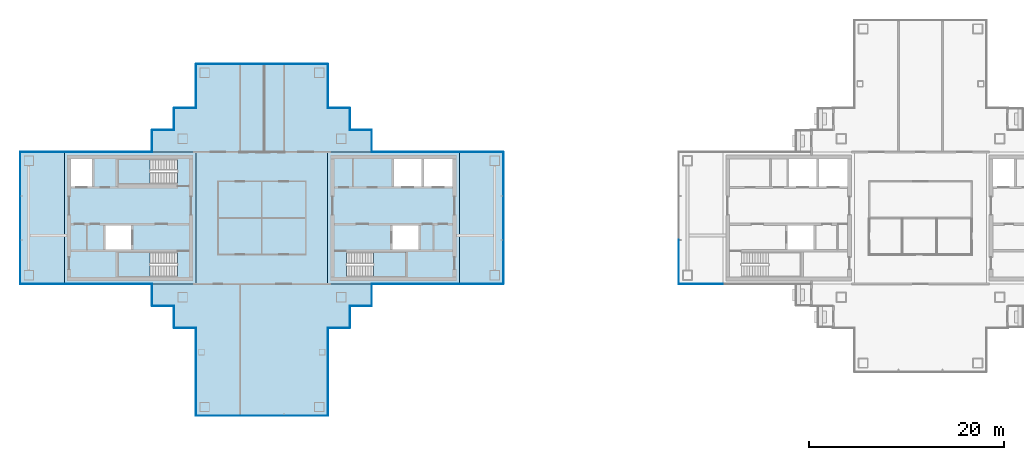
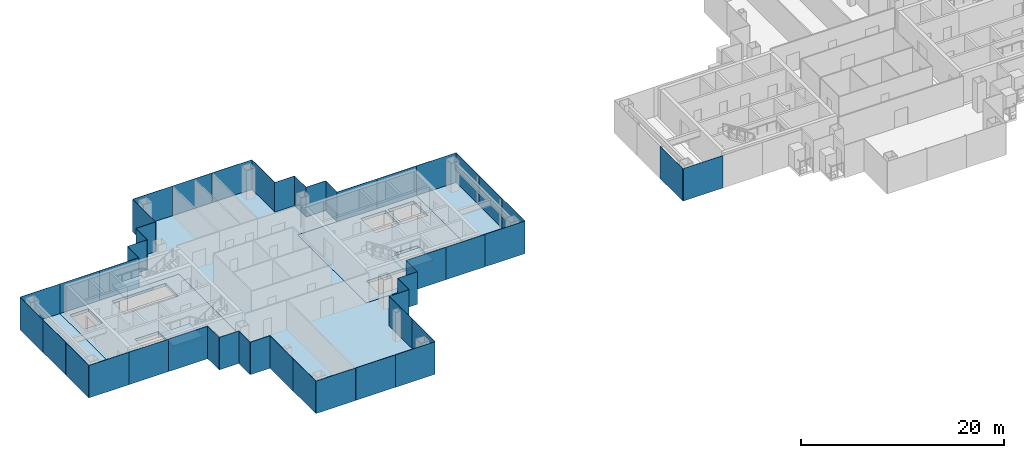
# One storey, part 7 of 16: 48 plates, 8 slabs, 25 elements without a shape of their own.
"""IFC4 building model written with IfcOpenShell, lengths in metres."""

from ifc_helpers import new_model, si_unit, direction, frame, origin, origin_2d, place, context, subcontext, project, spatial, polyline, rectangle, outline, extrude, material, layer, layer_set, type_object, element, aggregate, save


model = new_model("IFC4")

# Units and contexts
model_context = context("Model", 3, precision=1e-05, world=origin(), true_north=direction((0.0, 1.0)))
body_context = subcontext(model_context, "Body", "Model", "MODEL_VIEW")
ifc_project = project(units=[si_unit("LENGTHUNIT", "METRE"), si_unit("AREAUNIT", "SQUARE_METRE"), si_unit("VOLUMEUNIT", "CUBIC_METRE"), si_unit("PLANEANGLEUNIT", "RADIAN"), si_unit("MASSUNIT", "GRAM", prefix="KILO")], contexts=[model_context])

# Site, building, storey
site_placement = place(None, origin())
site = spatial("IfcSite", under=ifc_project, at=site_placement, CompositionType="ELEMENT")
building_placement = place(site_placement, origin())
building = spatial("IfcBuilding", under=site, at=building_placement, Name="Shamsa Quay Exchange Towers", CompositionType="ELEMENT")
storey_placement = place(building_placement, frame((0.0, 0.0, 186.60009765625)))
storey = spatial("IfcBuildingStorey", under=building, at=storey_placement, Name="L44", CompositionType="ELEMENT", Elevation=186.60009765625)

# Slabs
ifc_material_1 = material(Name="Concrete C50/60", Category="concrete")
ifc_layer_1 = layer(ifc_material_1, 0.35009765625)
ifc_layer_set_1 = layer_set([ifc_layer_1], Name="CORE FLOOR 350 C50/60")
slab_type_1 = type_object("IfcSlabType", Name="CORE FLOOR 350 C50/60", PredefinedType="FLOOR", material=ifc_layer_set_1)
slab_1_placement = place(storey_placement, frame((0.0, 0.0, -0.35009765625)))
element("IfcSlab", 1, at=slab_1_placement, inside=storey, type_object=slab_type_1, Name="Core floor T1A", PredefinedType="FLOOR", context=body_context, shape_type="SweptSolid", body=[
    extrude(outline(polyline([(-27.0, -6.75), (-13.5, -6.75), (-13.5, 6.75), (-27.0, 6.75), (-27.0, -6.75)]), holes=[polyline([(-25.099365234375, -6.050048828125), (-25.099365234375, -3.5), (-19.0, -3.5), (-19.0, -6.050048828125), (-25.099365234375, -6.050048828125)]), polyline([(-20.199951171875, 3.25), (-20.199951171875, 6.050048828125), (-17.39990234375, 6.050048828125), (-17.39990234375, 3.25), (-20.199951171875, 3.25)]), polyline([(-17.14990234375, 3.25), (-17.14990234375, 6.050048828125), (-14.199951171875, 6.050048828125), (-14.199951171875, 3.25), (-17.14990234375, 3.25)]), polyline([(-20.35009765625, -3.25), (-20.35009765625, -0.75), (-17.699951171875, -0.75), (-17.699951171875, -3.25), (-20.35009765625, -3.25)])]), origin(), (0.0, 0.0, 1.0), 0.35009765625),
])
slab_2_placement = place(storey_placement, frame((0.0, 0.0, -0.35009765625)))
element("IfcSlab", 2, at=slab_2_placement, inside=storey, type_object=slab_type_1, Name="Core floor T1B", PredefinedType="FLOOR", context=body_context, shape_type="SweptSolid", body=[
    extrude(outline(polyline([(-40.5, -6.75), (-40.5, 6.75), (-54.0, 6.75), (-54.0, -6.75), (-40.5, -6.75)]), holes=[polyline([(-42.400634765625, -3.5), (-42.400634765625, -6.050048828125), (-48.5, -6.050048828125), (-48.5, -3.5), (-42.400634765625, -3.5)]), polyline([(-42.400634765625, 6.050048828125), (-42.400634765625, 3.5), (-48.5, 3.5), (-48.5, 6.050048828125), (-42.400634765625, 6.050048828125)]), polyline([(-51.14990234375, 3.25), (-53.300048828125, 3.25), (-53.300048828125, 6.050048828125), (-51.14990234375, 6.050048828125), (-51.14990234375, 3.25)]), polyline([(-47.14990234375, -3.25), (-49.800048828125, -3.25), (-49.800048828125, -0.75), (-47.14990234375, -0.75), (-47.14990234375, -3.25)])]), origin(), (0.0, 0.0, 1.0), 0.35009765625),
])

# Stair, slab
ifc_material_2 = material(Name="Concrete C40/50", Category="concrete")
stair_type = type_object("IfcStairType", Name="EXIT STAIR 22 RISERS 177 MM", PredefinedType="HALF_TURN_STAIR", material=ifc_material_2)
stair_1_placement = place(storey_placement, origin())
stair_1 = element("IfcStair", 3, at=stair_1_placement, inside=storey, type_object=stair_type, Name="L44 Exit stair ST1", PredefinedType="HALF_TURN_STAIR")
ifc_layer_2 = layer(ifc_material_2, 0.199951171875)
ifc_layer_set_2 = layer_set([ifc_layer_2], Name="CORE STAIR LANDING")
slab_type_2 = type_object("IfcSlabType", Name="CORE STAIR LANDING", PredefinedType="LANDING", material=ifc_layer_set_2)
slab_3_placement = place(storey_placement, frame((0.0, 0.0, 1.75)))
slab_3 = element("IfcSlab", 4, at=slab_3_placement, type_object=slab_type_2, Name="ST1 landing 1", PredefinedType="LANDING", context=body_context, shape_type="SweptSolid", body=[
    extrude(outline(polyline([(-22.300048828125, -6.050048828125), (-19.0, -6.050048828125), (-19.0, -3.5), (-22.300048828125, -3.5), (-22.300048828125, -6.050048828125)])), origin(), (0.0, 0.0, 1.0), 0.199951171875),
])
aggregate(stair_1, [slab_3])

stair_2_placement = place(storey_placement, origin())
stair_2 = element("IfcStair", 5, at=stair_2_placement, inside=storey, type_object=stair_type, Name="L44 Exit stair ST2", PredefinedType="HALF_TURN_STAIR")
slab_4_placement = place(storey_placement, frame((0.0, 0.0, 1.75)))
slab_4 = element("IfcSlab", 6, at=slab_4_placement, type_object=slab_type_2, Name="ST2 landing 1", PredefinedType="LANDING", context=body_context, shape_type="SweptSolid", body=[
    extrude(outline(polyline([(-45.199951171875, -3.5), (-48.5, -3.5), (-48.5, -6.050048828125), (-45.199951171875, -6.050048828125), (-45.199951171875, -3.5)])), origin(), (0.0, 0.0, 1.0), 0.199951171875),
])
aggregate(stair_2, [slab_4])

stair_3_placement = place(storey_placement, origin())
stair_3 = element("IfcStair", 7, at=stair_3_placement, inside=storey, type_object=stair_type, Name="L44 Exit stair ST3", PredefinedType="HALF_TURN_STAIR")
slab_5_placement = place(storey_placement, frame((0.0, 0.0, 1.75)))
slab_5 = element("IfcSlab", 8, at=slab_5_placement, type_object=slab_type_2, Name="ST3 landing 1", PredefinedType="LANDING", context=body_context, shape_type="SweptSolid", body=[
    extrude(outline(polyline([(-45.199951171875, 6.050048828125), (-48.5, 6.050048828125), (-48.5, 3.5), (-45.199951171875, 3.5), (-45.199951171875, 6.050048828125)])), origin(), (0.0, 0.0, 1.0), 0.199951171875),
])
aggregate(stair_3, [slab_5])

# Curtain wall, plates
ifc_material_3 = material(Name="Aluminium EN AW-6063 T6, black anodised", Category="aluminium")
ifc_layer_3 = layer(ifc_material_3, 0.280029296875)
ifc_layer_set_3 = layer_set([ifc_layer_3], Name="CW-1 UNITISED VISION GLASS")
curtain_wall_type_1 = type_object("IfcCurtainWallType", Name="CW-1 UNITISED VISION GLASS", PredefinedType="NOTDEFINED", material=ifc_layer_set_3)
curtain_wall_1_placement = place(storey_placement, origin())
curtain_wall_1 = element("IfcCurtainWall", 9, at=curtain_wall_1_placement, inside=storey, type_object=curtain_wall_type_1, Name="CW1 T1-FLK-V-W L44", PredefinedType="NOTDEFINED")
ifc_material_4 = material(Name="Glass, laminated, dark tinted", Category="glass")
ifc_layer_4 = layer(ifc_material_4, 0.0400390625)
ifc_layer_set_4 = layer_set([ifc_layer_4], Name="CW-1 VISION GLASS 40")
plate_type_1 = type_object("IfcPlateType", Name="CW-1 VISION GLASS 40", PredefinedType="CURTAIN_PANEL", material=ifc_layer_set_4)
plate_1_placement = place(storey_placement, frame((-40.52001953125, -13.52587890625, -0.35009765625), z_axis=(0.0, 0.0, 1.0), x_axis=(0.0, -1.0, 0.0)))
plate_1 = element("IfcPlate", 10, at=plate_1_placement, type_object=plate_type_1, Name="CW1 glass panel", PredefinedType="CURTAIN_PANEL", context=body_context, shape_type="SweptSolid", body=[
    extrude(rectangle(XDim=4.47607421875, YDim=0.0400390625, at=origin_2d()), origin(), (0.0, 0.0, 1.0), 3.89990234375),
])
plate_2_placement = place(storey_placement, frame((-40.52001953125, -18.011962890625, -0.35009765625), z_axis=(0.0, 0.0, 1.0), x_axis=(0.0, -1.0, 0.0)))
plate_2 = element("IfcPlate", 11, at=plate_2_placement, type_object=plate_type_1, Name="CW1 glass panel", PredefinedType="CURTAIN_PANEL", context=body_context, shape_type="SweptSolid", body=[
    extrude(rectangle(XDim=4.47607421875, YDim=0.0400390625, at=origin_2d()), origin(), (0.0, 0.0, 1.0), 3.89990234375),
])
aggregate(curtain_wall_1, [plate_1, plate_2])

curtain_wall_2_placement = place(storey_placement, origin())
curtain_wall_2 = element("IfcCurtainWall", 12, at=curtain_wall_2_placement, inside=storey, type_object=curtain_wall_type_1, Name="CW1 T1-END-V- L44", PredefinedType="NOTDEFINED")
plate_3_placement = place(storey_placement, frame((-38.25244140625, -20.27001953125, -0.35009765625)))
plate_3 = element("IfcPlate", 13, at=plate_3_placement, type_object=plate_type_1, Name="CW1 glass panel", PredefinedType="CURTAIN_PANEL", context=body_context, shape_type="SweptSolid", body=[
    extrude(rectangle(XDim=4.4951171875, YDim=0.0400390625, at=origin_2d()), origin(), (0.0, 0.0, 1.0), 3.89990234375),
])
plate_4_placement = place(storey_placement, frame((-33.75, -20.27001953125, -0.35009765625)))
plate_4 = element("IfcPlate", 14, at=plate_4_placement, type_object=plate_type_1, Name="CW1 glass panel", PredefinedType="CURTAIN_PANEL", context=body_context, shape_type="SweptSolid", body=[
    extrude(rectangle(XDim=4.489990234375, YDim=0.0400390625, at=origin_2d()), origin(), (0.0, 0.0, 1.0), 3.89990234375),
])
plate_5_placement = place(storey_placement, frame((-29.24755859375, -20.27001953125, -0.35009765625)))
plate_5 = element("IfcPlate", 15, at=plate_5_placement, type_object=plate_type_1, Name="CW1 glass panel", PredefinedType="CURTAIN_PANEL", context=body_context, shape_type="SweptSolid", body=[
    extrude(rectangle(XDim=4.4951171875, YDim=0.0400390625, at=origin_2d()), origin(), (0.0, 0.0, 1.0), 3.89990234375),
])
aggregate(curtain_wall_2, [plate_3, plate_4, plate_5])

curtain_wall_3_placement = place(storey_placement, origin())
curtain_wall_3 = element("IfcCurtainWall", 16, at=curtain_wall_3_placement, inside=storey, type_object=curtain_wall_type_1, Name="CW1 T1-FLK-V-E L44", PredefinedType="NOTDEFINED")
plate_6_placement = place(storey_placement, frame((-26.97998046875, -18.00244140625, -0.35009765625), z_axis=(0.0, 0.0, 1.0), x_axis=(0.0, 1.0, 0.0)))
plate_6 = element("IfcPlate", 17, at=plate_6_placement, type_object=plate_type_1, Name="CW1 glass panel", PredefinedType="CURTAIN_PANEL", context=body_context, shape_type="SweptSolid", body=[
    extrude(rectangle(XDim=4.4951171875, YDim=0.0400390625, at=origin_2d()), origin(), (0.0, 0.0, 1.0), 3.89990234375),
])
plate_7_placement = place(storey_placement, frame((-26.97998046875, -13.49755859375, -0.35009765625), z_axis=(0.0, 0.0, 1.0), x_axis=(0.0, 1.0, 0.0)))
plate_7 = element("IfcPlate", 18, at=plate_7_placement, type_object=plate_type_1, Name="CW1 glass panel", PredefinedType="CURTAIN_PANEL", context=body_context, shape_type="SweptSolid", body=[
    extrude(rectangle(XDim=4.4951171875, YDim=0.0400390625, at=origin_2d()), origin(), (0.0, 0.0, 1.0), 3.89990234375),
])
aggregate(curtain_wall_3, [plate_6, plate_7])

# Curtain wall, plate
curtain_wall_4_placement = place(storey_placement, origin())
curtain_wall_4 = element("IfcCurtainWall", 19, at=curtain_wall_4_placement, inside=storey, type_object=curtain_wall_type_1, Name="CW1 T1-FLK-U+S L44", PredefinedType="NOTDEFINED")
plate_8_placement = place(storey_placement, frame((-11.25, -6.77001953125, -0.35009765625)))
plate_8 = element("IfcPlate", 20, at=plate_8_placement, type_object=plate_type_1, Name="CW1 glass panel", PredefinedType="CURTAIN_PANEL", context=body_context, shape_type="SweptSolid", body=[
    extrude(rectangle(XDim=4.5, YDim=0.0400390625, at=origin_2d()), origin(), (0.0, 0.0, 1.0), 3.89990234375),
])
aggregate(curtain_wall_4, [plate_8])

# Curtain wall, plates
curtain_wall_5_placement = place(storey_placement, origin())
curtain_wall_5 = element("IfcCurtainWall", 21, at=curtain_wall_5_placement, inside=storey, type_object=curtain_wall_type_1, Name="CW1 T1-END-U+ L44", PredefinedType="NOTDEFINED")
plate_9_placement = place(storey_placement, frame((-8.97998046875, -4.50244140625, -0.35009765625), z_axis=(0.0, 0.0, 1.0), x_axis=(0.0, 1.0, 0.0)))
plate_9 = element("IfcPlate", 22, at=plate_9_placement, type_object=plate_type_1, Name="CW1 glass panel", PredefinedType="CURTAIN_PANEL", context=body_context, shape_type="SweptSolid", body=[
    extrude(rectangle(XDim=4.4951171875, YDim=0.0400390625, at=origin_2d()), origin(), (0.0, 0.0, 1.0), 3.89990234375),
])
plate_10_placement = place(storey_placement, frame((-8.97998046875, 0.0, -0.35009765625), z_axis=(0.0, 0.0, 1.0), x_axis=(0.0, 1.0, 0.0)))
plate_10 = element("IfcPlate", 23, at=plate_10_placement, type_object=plate_type_1, Name="CW1 glass panel", PredefinedType="CURTAIN_PANEL", context=body_context, shape_type="SweptSolid", body=[
    extrude(rectangle(XDim=4.489990234375, YDim=0.0400390625, at=origin_2d()), origin(), (0.0, 0.0, 1.0), 3.89990234375),
])
plate_11_placement = place(storey_placement, frame((-8.97998046875, 4.50244140625, -0.35009765625), z_axis=(0.0, 0.0, 1.0), x_axis=(0.0, 1.0, 0.0)))
plate_11 = element("IfcPlate", 24, at=plate_11_placement, type_object=plate_type_1, Name="CW1 glass panel", PredefinedType="CURTAIN_PANEL", context=body_context, shape_type="SweptSolid", body=[
    extrude(rectangle(XDim=4.4951171875, YDim=0.0400390625, at=origin_2d()), origin(), (0.0, 0.0, 1.0), 3.89990234375),
])
aggregate(curtain_wall_5, [plate_9, plate_10, plate_11])

# Curtain wall, plate
curtain_wall_6_placement = place(storey_placement, origin())
curtain_wall_6 = element("IfcCurtainWall", 25, at=curtain_wall_6_placement, inside=storey, type_object=curtain_wall_type_1, Name="CW1 T1-FLK-U+N L44", PredefinedType="NOTDEFINED")
plate_12_placement = place(storey_placement, frame((-11.25, 6.77001953125, -0.35009765625), z_axis=(0.0, 0.0, 1.0), x_axis=(-1.0, 0.0, 0.0)))
plate_12 = element("IfcPlate", 26, at=plate_12_placement, type_object=plate_type_1, Name="CW1 glass panel", PredefinedType="CURTAIN_PANEL", context=body_context, shape_type="SweptSolid", body=[
    extrude(rectangle(XDim=4.5, YDim=0.0400390625, at=origin_2d()), origin(), (0.0, 0.0, 1.0), 3.89990234375),
])
aggregate(curtain_wall_6, [plate_12])

curtain_wall_7_placement = place(storey_placement, origin())
curtain_wall_7 = element("IfcCurtainWall", 27, at=curtain_wall_7_placement, inside=storey, type_object=curtain_wall_type_1, Name="CW1 T1-FLK-V+E L44", PredefinedType="NOTDEFINED")
plate_13_placement = place(storey_placement, frame((-26.97998046875, 13.51904296875, -0.35009765625), z_axis=(0.0, 0.0, 1.0), x_axis=(0.0, 1.0, 0.0)))
plate_13 = element("IfcPlate", 28, at=plate_13_placement, type_object=plate_type_1, Name="CW1 glass panel", PredefinedType="CURTAIN_PANEL", context=body_context, shape_type="SweptSolid", body=[
    extrude(rectangle(XDim=4.4619140625, YDim=0.0400390625, at=origin_2d()), origin(), (0.0, 0.0, 1.0), 3.89990234375),
])
aggregate(curtain_wall_7, [plate_13])

# Curtain wall, plates
curtain_wall_8_placement = place(storey_placement, origin())
curtain_wall_8 = element("IfcCurtainWall", 29, at=curtain_wall_8_placement, inside=storey, type_object=curtain_wall_type_1, Name="CW1 T1-END-V+ L44", PredefinedType="NOTDEFINED")
plate_14_placement = place(storey_placement, frame((-29.24755859375, 15.77001953125, -0.35009765625), z_axis=(0.0, 0.0, 1.0), x_axis=(-1.0, 0.0, 0.0)))
plate_14 = element("IfcPlate", 30, at=plate_14_placement, type_object=plate_type_1, Name="CW1 glass panel", PredefinedType="CURTAIN_PANEL", context=body_context, shape_type="SweptSolid", body=[
    extrude(rectangle(XDim=4.4951171875, YDim=0.0400390625, at=origin_2d()), origin(), (0.0, 0.0, 1.0), 3.89990234375),
])
plate_15_placement = place(storey_placement, frame((-33.75, 15.77001953125, -0.35009765625), z_axis=(0.0, 0.0, 1.0), x_axis=(-1.0, 0.0, 0.0)))
plate_15 = element("IfcPlate", 31, at=plate_15_placement, type_object=plate_type_1, Name="CW1 glass panel", PredefinedType="CURTAIN_PANEL", context=body_context, shape_type="SweptSolid", body=[
    extrude(rectangle(XDim=4.489990234375, YDim=0.0400390625, at=origin_2d()), origin(), (0.0, 0.0, 1.0), 3.89990234375),
])
plate_16_placement = place(storey_placement, frame((-38.25244140625, 15.77001953125, -0.35009765625), z_axis=(0.0, 0.0, 1.0), x_axis=(-1.0, 0.0, 0.0)))
plate_16 = element("IfcPlate", 32, at=plate_16_placement, type_object=plate_type_1, Name="CW1 glass panel", PredefinedType="CURTAIN_PANEL", context=body_context, shape_type="SweptSolid", body=[
    extrude(rectangle(XDim=4.4951171875, YDim=0.0400390625, at=origin_2d()), origin(), (0.0, 0.0, 1.0), 3.89990234375),
])
aggregate(curtain_wall_8, [plate_14, plate_15, plate_16])

# Curtain wall, plate
curtain_wall_9_placement = place(storey_placement, origin())
curtain_wall_9 = element("IfcCurtainWall", 33, at=curtain_wall_9_placement, inside=storey, type_object=curtain_wall_type_1, Name="CW1 T1-FLK-V+W L44", PredefinedType="NOTDEFINED")
plate_17_placement = place(storey_placement, frame((-40.52001953125, 13.5, -0.35009765625), z_axis=(0.0, 0.0, 1.0), x_axis=(0.0, -1.0, 0.0)))
plate_17 = element("IfcPlate", 34, at=plate_17_placement, type_object=plate_type_1, Name="CW1 glass panel", PredefinedType="CURTAIN_PANEL", context=body_context, shape_type="SweptSolid", body=[
    extrude(rectangle(XDim=4.5, YDim=0.0400390625, at=origin_2d()), origin(), (0.0, 0.0, 1.0), 3.89990234375),
])
aggregate(curtain_wall_9, [plate_17])

curtain_wall_10_placement = place(storey_placement, origin())
curtain_wall_10 = element("IfcCurtainWall", 35, at=curtain_wall_10_placement, inside=storey, type_object=curtain_wall_type_1, Name="CW1 T1-FLK-U-N L44", PredefinedType="NOTDEFINED")
plate_18_placement = place(storey_placement, frame((-56.25, 6.77001953125, -0.35009765625), z_axis=(0.0, 0.0, 1.0), x_axis=(-1.0, 0.0, 0.0)))
plate_18 = element("IfcPlate", 36, at=plate_18_placement, type_object=plate_type_1, Name="CW1 glass panel", PredefinedType="CURTAIN_PANEL", context=body_context, shape_type="SweptSolid", body=[
    extrude(rectangle(XDim=4.5, YDim=0.0400390625, at=origin_2d()), origin(), (0.0, 0.0, 1.0), 3.89990234375),
])
aggregate(curtain_wall_10, [plate_18])

# Curtain wall, plates
curtain_wall_11_placement = place(storey_placement, origin())
curtain_wall_11 = element("IfcCurtainWall", 37, at=curtain_wall_11_placement, inside=storey, type_object=curtain_wall_type_1, Name="CW1 T1-END-U- L44", PredefinedType="NOTDEFINED")
plate_19_placement = place(storey_placement, frame((-58.52001953125, 4.50244140625, -0.35009765625), z_axis=(0.0, 0.0, 1.0), x_axis=(0.0, -1.0, 0.0)))
plate_19 = element("IfcPlate", 38, at=plate_19_placement, type_object=plate_type_1, Name="CW1 glass panel", PredefinedType="CURTAIN_PANEL", context=body_context, shape_type="SweptSolid", body=[
    extrude(rectangle(XDim=4.4951171875, YDim=0.0400390625, at=origin_2d()), origin(), (0.0, 0.0, 1.0), 3.89990234375),
])
plate_20_placement = place(storey_placement, frame((-58.52001953125, 0.0, -0.35009765625), z_axis=(0.0, 0.0, 1.0), x_axis=(0.0, -1.0, 0.0)))
plate_20 = element("IfcPlate", 39, at=plate_20_placement, type_object=plate_type_1, Name="CW1 glass panel", PredefinedType="CURTAIN_PANEL", context=body_context, shape_type="SweptSolid", body=[
    extrude(rectangle(XDim=4.489990234375, YDim=0.0400390625, at=origin_2d()), origin(), (0.0, 0.0, 1.0), 3.89990234375),
])
plate_21_placement = place(storey_placement, frame((-58.52001953125, -4.50244140625, -0.35009765625), z_axis=(0.0, 0.0, 1.0), x_axis=(0.0, -1.0, 0.0)))
plate_21 = element("IfcPlate", 40, at=plate_21_placement, type_object=plate_type_1, Name="CW1 glass panel", PredefinedType="CURTAIN_PANEL", context=body_context, shape_type="SweptSolid", body=[
    extrude(rectangle(XDim=4.4951171875, YDim=0.0400390625, at=origin_2d()), origin(), (0.0, 0.0, 1.0), 3.89990234375),
])
aggregate(curtain_wall_11, [plate_19, plate_20, plate_21])

# Curtain wall, plate
curtain_wall_12_placement = place(storey_placement, origin())
curtain_wall_12 = element("IfcCurtainWall", 41, at=curtain_wall_12_placement, inside=storey, type_object=curtain_wall_type_1, Name="CW1 T1-FLK-U-S L44", PredefinedType="NOTDEFINED")
plate_22_placement = place(storey_placement, frame((-56.25, -6.77001953125, -0.35009765625)))
plate_22 = element("IfcPlate", 42, at=plate_22_placement, type_object=plate_type_1, Name="CW1 glass panel", PredefinedType="CURTAIN_PANEL", context=body_context, shape_type="SweptSolid", body=[
    extrude(rectangle(XDim=4.5, YDim=0.0400390625, at=origin_2d()), origin(), (0.0, 0.0, 1.0), 3.89990234375),
])
aggregate(curtain_wall_12, [plate_22])

curtain_wall_13_placement = place(storey_placement, origin())
curtain_wall_13 = element("IfcCurtainWall", 43, at=curtain_wall_13_placement, inside=storey, type_object=curtain_wall_type_1, Name="CW1 T2-END-V+ L44", PredefinedType="NOTDEFINED")
plate_23_placement = place(storey_placement, frame((8.97998046875, -4.50244140625, -0.35009765625), z_axis=(0.0, 0.0, 1.0), x_axis=(0.0, -1.0, 0.0)))
plate_23 = element("IfcPlate", 44, at=plate_23_placement, type_object=plate_type_1, Name="CW1 glass panel", PredefinedType="CURTAIN_PANEL", context=body_context, shape_type="SweptSolid", body=[
    extrude(rectangle(XDim=4.4951171875, YDim=0.0400390625, at=origin_2d()), origin(), (0.0, 0.0, 1.0), 3.89990234375),
])
aggregate(curtain_wall_13, [plate_23])

curtain_wall_14_placement = place(storey_placement, origin())
curtain_wall_14 = element("IfcCurtainWall", 45, at=curtain_wall_14_placement, inside=storey, type_object=curtain_wall_type_1, Name="CW1 T2-FLK-V+W L44", PredefinedType="NOTDEFINED")
plate_24_placement = place(storey_placement, frame((11.25, -6.77001953125, -0.35009765625)))
plate_24 = element("IfcPlate", 46, at=plate_24_placement, type_object=plate_type_1, Name="CW1 glass panel", PredefinedType="CURTAIN_PANEL", context=body_context, shape_type="SweptSolid", body=[
    extrude(rectangle(XDim=4.5, YDim=0.0400390625, at=origin_2d()), origin(), (0.0, 0.0, 1.0), 3.89990234375),
])
aggregate(curtain_wall_14, [plate_24])

# Curtain wall, plates
ifc_layer_5 = layer(ifc_material_3, 0.303955078125)
ifc_layer_set_5 = layer_set([ifc_layer_5], Name="CW-2 UNITISED OPAQUE SPANDREL GLASS")
curtain_wall_type_2 = type_object("IfcCurtainWallType", Name="CW-2 UNITISED OPAQUE SPANDREL GLASS", PredefinedType="NOTDEFINED", material=ifc_layer_set_5)
curtain_wall_15_placement = place(storey_placement, origin())
curtain_wall_15 = element("IfcCurtainWall", 47, at=curtain_wall_15_placement, inside=storey, type_object=curtain_wall_type_2, Name="CW2 T1-FLK-U+S L44", PredefinedType="NOTDEFINED")
ifc_material_5 = material(Name="Glass, laminated, black enamelled opaque", Category="glass")
ifc_layer_6 = layer(ifc_material_5, 0.0439453125)
ifc_layer_set_6 = layer_set([ifc_layer_6], Name="CW-2 SPANDREL GLASS 44")
plate_type_2 = type_object("IfcPlateType", Name="CW-2 SPANDREL GLASS 44", PredefinedType="CURTAIN_PANEL", material=ifc_layer_set_6)
plate_25_placement = place(storey_placement, frame((-20.22412109375, -6.77197265625, -0.35009765625)))
plate_25 = element("IfcPlate", 48, at=plate_25_placement, type_object=plate_type_2, Name="CW2 glass panel", PredefinedType="CURTAIN_PANEL", context=body_context, shape_type="SweptSolid", body=[
    extrude(rectangle(XDim=4.47607421875, YDim=0.0439453125, at=origin_2d()), origin(), (0.0, 0.0, 1.0), 3.89990234375),
])
plate_26_placement = place(storey_placement, frame((-15.738037109375, -6.77197265625, -0.35009765625)))
plate_26 = element("IfcPlate", 49, at=plate_26_placement, type_object=plate_type_2, Name="CW2 glass panel", PredefinedType="CURTAIN_PANEL", context=body_context, shape_type="SweptSolid", body=[
    extrude(rectangle(XDim=4.47607421875, YDim=0.0439453125, at=origin_2d()), origin(), (0.0, 0.0, 1.0), 3.89990234375),
])
aggregate(curtain_wall_15, [plate_25, plate_26])

curtain_wall_16_placement = place(storey_placement, origin())
curtain_wall_16 = element("IfcCurtainWall", 50, at=curtain_wall_16_placement, inside=storey, type_object=curtain_wall_type_2, Name="CW2 T1-FLK-U+N L44", PredefinedType="NOTDEFINED")
plate_27_placement = place(storey_placement, frame((-15.74755859375, 6.77197265625, -0.35009765625), z_axis=(0.0, 0.0, 1.0), x_axis=(-1.0, 0.0, 0.0)))
plate_27 = element("IfcPlate", 51, at=plate_27_placement, type_object=plate_type_2, Name="CW2 glass panel", PredefinedType="CURTAIN_PANEL", context=body_context, shape_type="SweptSolid", body=[
    extrude(rectangle(XDim=4.4951171875, YDim=0.0439453125, at=origin_2d()), origin(), (0.0, 0.0, 1.0), 3.89990234375),
])
plate_28_placement = place(storey_placement, frame((-20.25244140625, 6.77197265625, -0.35009765625), z_axis=(0.0, 0.0, 1.0), x_axis=(-1.0, 0.0, 0.0)))
plate_28 = element("IfcPlate", 52, at=plate_28_placement, type_object=plate_type_2, Name="CW2 glass panel", PredefinedType="CURTAIN_PANEL", context=body_context, shape_type="SweptSolid", body=[
    extrude(rectangle(XDim=4.4951171875, YDim=0.0439453125, at=origin_2d()), origin(), (0.0, 0.0, 1.0), 3.89990234375),
])
aggregate(curtain_wall_16, [plate_27, plate_28])

curtain_wall_17_placement = place(storey_placement, origin())
curtain_wall_17 = element("IfcCurtainWall", 53, at=curtain_wall_17_placement, inside=storey, type_object=curtain_wall_type_2, Name="CW2 T1-FLK-U-N L44", PredefinedType="NOTDEFINED")
plate_29_placement = place(storey_placement, frame((-47.27587890625, 6.77197265625, -0.35009765625), z_axis=(0.0, 0.0, 1.0), x_axis=(-1.0, 0.0, 0.0)))
plate_29 = element("IfcPlate", 54, at=plate_29_placement, type_object=plate_type_2, Name="CW2 glass panel", PredefinedType="CURTAIN_PANEL", context=body_context, shape_type="SweptSolid", body=[
    extrude(rectangle(XDim=4.47607421875, YDim=0.0439453125, at=origin_2d()), origin(), (0.0, 0.0, 1.0), 3.89990234375),
])
plate_30_placement = place(storey_placement, frame((-51.761962890625, 6.77197265625, -0.35009765625), z_axis=(0.0, 0.0, 1.0), x_axis=(-1.0, 0.0, 0.0)))
plate_30 = element("IfcPlate", 55, at=plate_30_placement, type_object=plate_type_2, Name="CW2 glass panel", PredefinedType="CURTAIN_PANEL", context=body_context, shape_type="SweptSolid", body=[
    extrude(rectangle(XDim=4.47607421875, YDim=0.0439453125, at=origin_2d()), origin(), (0.0, 0.0, 1.0), 3.89990234375),
])
aggregate(curtain_wall_17, [plate_29, plate_30])

curtain_wall_18_placement = place(storey_placement, origin())
curtain_wall_18 = element("IfcCurtainWall", 56, at=curtain_wall_18_placement, inside=storey, type_object=curtain_wall_type_2, Name="CW2 T1-FLK-U-S L44", PredefinedType="NOTDEFINED")
plate_31_placement = place(storey_placement, frame((-51.75244140625, -6.77197265625, -0.35009765625)))
plate_31 = element("IfcPlate", 57, at=plate_31_placement, type_object=plate_type_2, Name="CW2 glass panel", PredefinedType="CURTAIN_PANEL", context=body_context, shape_type="SweptSolid", body=[
    extrude(rectangle(XDim=4.4951171875, YDim=0.0439453125, at=origin_2d()), origin(), (0.0, 0.0, 1.0), 3.89990234375),
])
plate_32_placement = place(storey_placement, frame((-47.24755859375, -6.77197265625, -0.35009765625)))
plate_32 = element("IfcPlate", 58, at=plate_32_placement, type_object=plate_type_2, Name="CW2 glass panel", PredefinedType="CURTAIN_PANEL", context=body_context, shape_type="SweptSolid", body=[
    extrude(rectangle(XDim=4.4951171875, YDim=0.0439453125, at=origin_2d()), origin(), (0.0, 0.0, 1.0), 3.89990234375),
])
aggregate(curtain_wall_18, [plate_31, plate_32])

ifc_layer_7 = layer(ifc_material_3, 0.256103515625)
ifc_layer_set_7 = layer_set([ifc_layer_7], Name="CW-4 POCKET SERRATED GLAZING")
curtain_wall_type_3 = type_object("IfcCurtainWallType", Name="CW-4 POCKET SERRATED GLAZING", PredefinedType="NOTDEFINED", material=ifc_layer_set_7)
curtain_wall_19_placement = place(storey_placement, origin())
curtain_wall_19 = element("IfcCurtainWall", 59, at=curtain_wall_19_placement, inside=storey, type_object=curtain_wall_type_3, Name="CW4 PKWS L44", PredefinedType="NOTDEFINED")
ifc_layer_8 = layer(ifc_material_4, 0.035888671875)
ifc_layer_set_8 = layer_set([ifc_layer_8], Name="CW-4 POCKET GLASS 36")
plate_type_3 = type_object("IfcPlateType", Name="CW-4 POCKET GLASS 36", PredefinedType="CURTAIN_PANEL", material=ifc_layer_set_8)
plate_33_placement = place(storey_placement, frame((-42.76806640625, -10.14404296875, -0.35009765625), z_axis=(0.0, 0.0, 1.0), x_axis=(0.0, -1.0, 0.0)))
plate_33 = element("IfcPlate", 60, at=plate_33_placement, type_object=plate_type_3, Name="CW4 glass panel", PredefinedType="CURTAIN_PANEL", context=body_context, shape_type="SweptSolid", body=[
    extrude(rectangle(XDim=2.2119140625, YDim=0.035888671875, at=origin_2d()), origin(), (0.0, 0.0, 1.0), 3.89990234375),
])
plate_34_placement = place(storey_placement, frame((-41.625, -11.26806640625, -0.35009765625)))
plate_34 = element("IfcPlate", 61, at=plate_34_placement, type_object=plate_type_3, Name="CW4 glass panel", PredefinedType="CURTAIN_PANEL", context=body_context, shape_type="SweptSolid", body=[
    extrude(rectangle(XDim=2.25, YDim=0.035888671875, at=origin_2d()), origin(), (0.0, 0.0, 1.0), 3.89990234375),
])
plate_35_placement = place(storey_placement, frame((-45.01806640625, -7.89794921875, -0.35009765625), z_axis=(0.0, 0.0, 1.0), x_axis=(0.0, -1.0, 0.0)))
plate_35 = element("IfcPlate", 62, at=plate_35_placement, type_object=plate_type_3, Name="CW4 glass panel", PredefinedType="CURTAIN_PANEL", context=body_context, shape_type="SweptSolid", body=[
    extrude(rectangle(XDim=2.2041015625, YDim=0.035888671875, at=origin_2d()), origin(), (0.0, 0.0, 1.0), 3.89990234375),
])
plate_36_placement = place(storey_placement, frame((-43.875, -9.01806640625, -0.35009765625)))
plate_36 = element("IfcPlate", 63, at=plate_36_placement, type_object=plate_type_3, Name="CW4 glass panel", PredefinedType="CURTAIN_PANEL", context=body_context, shape_type="SweptSolid", body=[
    extrude(rectangle(XDim=2.25, YDim=0.035888671875, at=origin_2d()), origin(), (0.0, 0.0, 1.0), 3.89990234375),
])
aggregate(curtain_wall_19, [plate_33, plate_34, plate_35, plate_36])

curtain_wall_20_placement = place(storey_placement, origin())
curtain_wall_20 = element("IfcCurtainWall", 64, at=curtain_wall_20_placement, inside=storey, type_object=curtain_wall_type_3, Name="CW4 PKES L44", PredefinedType="NOTDEFINED")
plate_37_placement = place(storey_placement, frame((-25.85400390625, -11.26806640625, -0.35009765625)))
plate_37 = element("IfcPlate", 65, at=plate_37_placement, type_object=plate_type_3, Name="CW4 glass panel", PredefinedType="CURTAIN_PANEL", context=body_context, shape_type="SweptSolid", body=[
    extrude(rectangle(XDim=2.2080078125, YDim=0.035888671875, at=origin_2d()), origin(), (0.0, 0.0, 1.0), 3.89990234375),
])
plate_38_placement = place(storey_placement, frame((-24.73193359375, -10.125, -0.35009765625), z_axis=(0.0, 0.0, 1.0), x_axis=(0.0, 1.0, 0.0)))
plate_38 = element("IfcPlate", 66, at=plate_38_placement, type_object=plate_type_3, Name="CW4 glass panel", PredefinedType="CURTAIN_PANEL", context=body_context, shape_type="SweptSolid", body=[
    extrude(rectangle(XDim=2.25, YDim=0.035888671875, at=origin_2d()), origin(), (0.0, 0.0, 1.0), 3.89990234375),
])
plate_39_placement = place(storey_placement, frame((-23.60595703125, -9.01806640625, -0.35009765625)))
plate_39 = element("IfcPlate", 67, at=plate_39_placement, type_object=plate_type_3, Name="CW4 glass panel", PredefinedType="CURTAIN_PANEL", context=body_context, shape_type="SweptSolid", body=[
    extrude(rectangle(XDim=2.2119140625, YDim=0.035888671875, at=origin_2d()), origin(), (0.0, 0.0, 1.0), 3.89990234375),
])
plate_40_placement = place(storey_placement, frame((-22.48193359375, -7.875, -0.35009765625), z_axis=(0.0, 0.0, 1.0), x_axis=(0.0, 1.0, 0.0)))
plate_40 = element("IfcPlate", 68, at=plate_40_placement, type_object=plate_type_3, Name="CW4 glass panel", PredefinedType="CURTAIN_PANEL", context=body_context, shape_type="SweptSolid", body=[
    extrude(rectangle(XDim=2.25, YDim=0.035888671875, at=origin_2d()), origin(), (0.0, 0.0, 1.0), 3.89990234375),
])
aggregate(curtain_wall_20, [plate_37, plate_38, plate_39, plate_40])

curtain_wall_21_placement = place(storey_placement, origin())
curtain_wall_21 = element("IfcCurtainWall", 69, at=curtain_wall_21_placement, inside=storey, type_object=curtain_wall_type_3, Name="CW4 PKEN L44", PredefinedType="NOTDEFINED")
plate_41_placement = place(storey_placement, frame((-22.48193359375, 7.89794921875, -0.35009765625), z_axis=(0.0, 0.0, 1.0), x_axis=(0.0, 1.0, 0.0)))
plate_41 = element("IfcPlate", 70, at=plate_41_placement, type_object=plate_type_3, Name="CW4 glass panel", PredefinedType="CURTAIN_PANEL", context=body_context, shape_type="SweptSolid", body=[
    extrude(rectangle(XDim=2.2041015625, YDim=0.035888671875, at=origin_2d()), origin(), (0.0, 0.0, 1.0), 3.89990234375),
])
plate_42_placement = place(storey_placement, frame((-23.625, 9.01806640625, -0.35009765625), z_axis=(0.0, 0.0, 1.0), x_axis=(-1.0, 0.0, 0.0)))
plate_42 = element("IfcPlate", 71, at=plate_42_placement, type_object=plate_type_3, Name="CW4 glass panel", PredefinedType="CURTAIN_PANEL", context=body_context, shape_type="SweptSolid", body=[
    extrude(rectangle(XDim=2.25, YDim=0.035888671875, at=origin_2d()), origin(), (0.0, 0.0, 1.0), 3.89990234375),
])
plate_43_placement = place(storey_placement, frame((-24.73193359375, 10.14404296875, -0.35009765625), z_axis=(0.0, 0.0, 1.0), x_axis=(0.0, 1.0, 0.0)))
plate_43 = element("IfcPlate", 72, at=plate_43_placement, type_object=plate_type_3, Name="CW4 glass panel", PredefinedType="CURTAIN_PANEL", context=body_context, shape_type="SweptSolid", body=[
    extrude(rectangle(XDim=2.2119140625, YDim=0.035888671875, at=origin_2d()), origin(), (0.0, 0.0, 1.0), 3.89990234375),
])
plate_44_placement = place(storey_placement, frame((-25.875, 11.26806640625, -0.35009765625), z_axis=(0.0, 0.0, 1.0), x_axis=(-1.0, 0.0, 0.0)))
plate_44 = element("IfcPlate", 73, at=plate_44_placement, type_object=plate_type_3, Name="CW4 glass panel", PredefinedType="CURTAIN_PANEL", context=body_context, shape_type="SweptSolid", body=[
    extrude(rectangle(XDim=2.25, YDim=0.035888671875, at=origin_2d()), origin(), (0.0, 0.0, 1.0), 3.89990234375),
])
aggregate(curtain_wall_21, [plate_41, plate_42, plate_43, plate_44])

curtain_wall_22_placement = place(storey_placement, origin())
curtain_wall_22 = element("IfcCurtainWall", 74, at=curtain_wall_22_placement, inside=storey, type_object=curtain_wall_type_3, Name="CW4 PKWN L44", PredefinedType="NOTDEFINED")
plate_45_placement = place(storey_placement, frame((-41.64599609375, 11.26806640625, -0.35009765625), z_axis=(0.0, 0.0, 1.0), x_axis=(-1.0, 0.0, 0.0)))
plate_45 = element("IfcPlate", 75, at=plate_45_placement, type_object=plate_type_3, Name="CW4 glass panel", PredefinedType="CURTAIN_PANEL", context=body_context, shape_type="SweptSolid", body=[
    extrude(rectangle(XDim=2.2080078125, YDim=0.035888671875, at=origin_2d()), origin(), (0.0, 0.0, 1.0), 3.89990234375),
])
plate_46_placement = place(storey_placement, frame((-42.76806640625, 10.125, -0.35009765625), z_axis=(0.0, 0.0, 1.0), x_axis=(0.0, -1.0, 0.0)))
plate_46 = element("IfcPlate", 76, at=plate_46_placement, type_object=plate_type_3, Name="CW4 glass panel", PredefinedType="CURTAIN_PANEL", context=body_context, shape_type="SweptSolid", body=[
    extrude(rectangle(XDim=2.25, YDim=0.035888671875, at=origin_2d()), origin(), (0.0, 0.0, 1.0), 3.89990234375),
])
plate_47_placement = place(storey_placement, frame((-43.89404296875, 9.01806640625, -0.35009765625), z_axis=(0.0, 0.0, 1.0), x_axis=(-1.0, 0.0, 0.0)))
plate_47 = element("IfcPlate", 77, at=plate_47_placement, type_object=plate_type_3, Name="CW4 glass panel", PredefinedType="CURTAIN_PANEL", context=body_context, shape_type="SweptSolid", body=[
    extrude(rectangle(XDim=2.2119140625, YDim=0.035888671875, at=origin_2d()), origin(), (0.0, 0.0, 1.0), 3.89990234375),
])
plate_48_placement = place(storey_placement, frame((-45.01806640625, 7.875, -0.35009765625), z_axis=(0.0, 0.0, 1.0), x_axis=(0.0, -1.0, 0.0)))
plate_48 = element("IfcPlate", 78, at=plate_48_placement, type_object=plate_type_3, Name="CW4 glass panel", PredefinedType="CURTAIN_PANEL", context=body_context, shape_type="SweptSolid", body=[
    extrude(rectangle(XDim=2.25, YDim=0.035888671875, at=origin_2d()), origin(), (0.0, 0.0, 1.0), 3.89990234375),
])
aggregate(curtain_wall_22, [plate_45, plate_46, plate_47, plate_48])

# Slabs
ifc_layer_9 = layer(ifc_material_2, 0.35009765625)
ifc_layer_set_9 = layer_set([ifc_layer_9], Name="Flat slab 350")
slab_type_3 = type_object("IfcSlabType", Name="Flat slab 350", PredefinedType="FLOOR", material=ifc_layer_set_9)
slab_6_placement = place(storey_placement, frame((0.0, 0.0, -0.35009765625)))
element("IfcSlab", 79, at=slab_6_placement, inside=storey, type_object=slab_type_3, Name="Flat slab T1 L44 1", PredefinedType="FLOOR", context=body_context, shape_type="SweptSolid", body=[
    extrude(outline(polyline([(-58.5, -6.75), (-54.0, -6.75), (-54.0, 6.75), (-58.5, 6.75), (-58.5, -6.75)])), origin(), (0.0, 0.0, 1.0), 0.35009765625),
])
slab_7_placement = place(storey_placement, frame((0.0, 0.0, -0.35009765625)))
element("IfcSlab", 80, at=slab_7_placement, inside=storey, type_object=slab_type_3, Name="Flat slab T1 L44 2", PredefinedType="FLOOR", context=body_context, shape_type="SweptSolid", body=[
    extrude(outline(polyline([(-22.5, -9.0), (-22.5, -6.75), (-27.0, -6.75), (-27.0, 6.75), (-22.5, 6.75), (-22.5, 9.0), (-24.75, 9.0), (-24.75, 11.25), (-27.0, 11.25), (-27.0, 15.75), (-40.5, 15.75), (-40.5, 11.25), (-42.75, 11.25), (-42.75, 9.0), (-45.0, 9.0), (-45.0, 6.75), (-40.5, 6.75), (-40.5, -6.75), (-45.0, -6.75), (-45.0, -9.0), (-42.75, -9.0), (-42.75, -11.25), (-40.5, -11.25), (-40.5, -20.25), (-27.0, -20.25), (-27.0, -11.25), (-24.75, -11.25), (-24.75, -9.0), (-22.5, -9.0)])), origin(), (0.0, 0.0, 1.0), 0.35009765625),
])
slab_8_placement = place(storey_placement, frame((0.0, 0.0, -0.35009765625)))
element("IfcSlab", 81, at=slab_8_placement, inside=storey, type_object=slab_type_3, Name="Flat slab T1 L44 3", PredefinedType="FLOOR", context=body_context, shape_type="SweptSolid", body=[
    extrude(outline(polyline([(-9.0, 6.75), (-13.5, 6.75), (-13.5, -6.75), (-9.0, -6.75), (-9.0, 6.75)])), origin(), (0.0, 0.0, 1.0), 0.35009765625),
])

save(model, "model.ifc")
